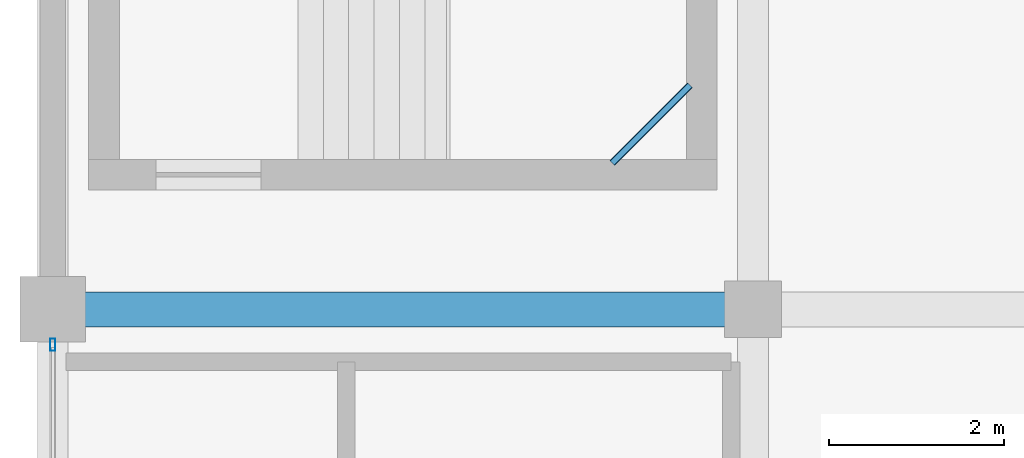
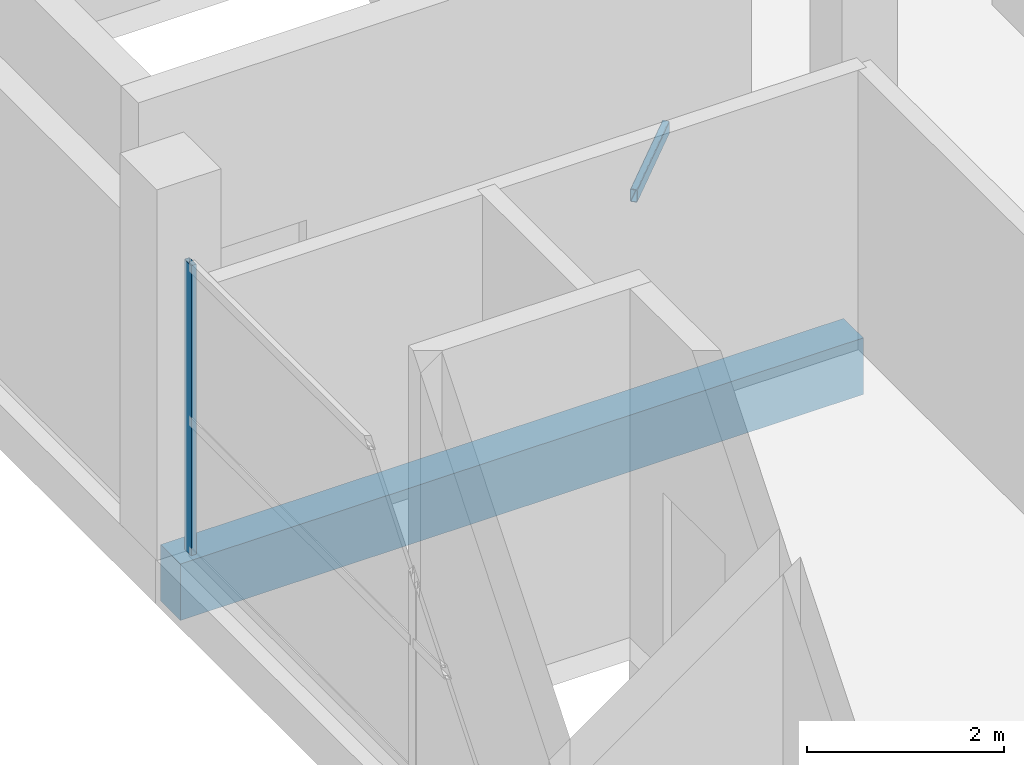
# One storey, part 27 of 69: 2 beams, 1 member, 1 element without a shape of its own.
"""IFC4 building model written with IfcOpenShell, lengths in metres."""

from ifc_helpers import new_model, si_unit, direction, frame, origin, origin_2d, place, context, subcontext, project, spatial, rectangle, hollow_rectangle, extrude, material, layer, layer_set, material_profile, profile_set, type_object, element, aggregate, save


model = new_model("IFC4")

# Units and contexts
model_context = context("Model", 3, precision=1e-05, world=origin(), true_north=direction((0.0, 1.0)))
body_context = subcontext(model_context, "Body", "Model", "MODEL_VIEW")
ifc_project = project(units=[si_unit("LENGTHUNIT", "METRE"), si_unit("AREAUNIT", "SQUARE_METRE"), si_unit("VOLUMEUNIT", "CUBIC_METRE"), si_unit("PLANEANGLEUNIT", "RADIAN"), si_unit("MASSUNIT", "GRAM", prefix="KILO")], contexts=[model_context])

# Site, building, storey
site_placement = place(None, origin())
site = spatial("IfcSite", under=ifc_project, at=site_placement, CompositionType="ELEMENT")
building_placement = place(site_placement, origin())
building = spatial("IfcBuilding", under=site, at=building_placement, Name="Sillaruma Civic Art Gallery", CompositionType="ELEMENT")
storey_placement = place(building_placement, frame((0.0, 0.0, 42.330078125)))
storey = spatial("IfcBuildingStorey", under=building, at=storey_placement, Name="L08", CompositionType="ELEMENT", Elevation=42.330078125)

# Beams
ifc_material_1 = material(Name="Concrete H35 (35 MPa)", Category="concrete")
ifc_material_profile_1 = material_profile(ifc_material_1, rectangle(XDim=0.39990234375, YDim=0.699951171875, at=origin_2d()), Name="RCB400x700")
ifc_profile_set_1 = profile_set([ifc_material_profile_1], Name="Concrete H35 (35 MPa)")
beam_type_1 = type_object("IfcBeamType", Name="BM-BEAM-RCB400x700", PredefinedType="BEAM", material=ifc_profile_set_1)
beam_1_placement = place(storey_placement, frame((62.0, 79.199951171875, -0.630126953125), z_axis=(1.0, 0.0, 0.0), x_axis=(0.0, 1.0, 0.0)))
element("IfcBeam", 1, at=beam_1_placement, inside=storey, type_object=beam_type_1, Name="Beam BM-04 (L07:9:F-G)", PredefinedType="BEAM", context=body_context, shape_type="SweptSolid", body=[
    extrude(rectangle(XDim=0.39990234375, YDim=0.699951171875, at=origin_2d()), origin(), (0.0, 0.0, 1.0), 8.0),
])
ifc_material_2 = material(Name="Structural Steel ASTM A500 Gr.C", Category="steel")
ifc_material_profile_2 = material_profile(ifc_material_2, hollow_rectangle(XDim=0.080078125, YDim=0.159912109375, WallThickness=0.008056640625, InnerFilletRadius=0.008056640625, OuterFilletRadius=0.01611328125, at=origin_2d()), Name="HSS160x80x8")
ifc_profile_set_2 = profile_set([ifc_material_profile_2], Name="Structural Steel ASTM A500 Gr.C")
beam_type_2 = type_object("IfcBeamType", Name="BM-LND-HSS160", PredefinedType="BEAM", material=ifc_profile_set_2)
beam_2_placement = place(storey_placement, frame((68.389892578125, 80.8701171875, 0.909912109375), z_axis=(0.707203758046, 0.707009791025, 0.0), x_axis=(-0.707009791025, 0.707203758046, 0.0)))
element("IfcBeam", 2, at=beam_2_placement, inside=storey, type_object=beam_type_2, Name="Stair Corner Landing Trimmer Beam (ST-02-L08-1)", PredefinedType="BEAM", context=body_context, shape_type="SweptSolid", body=[
    extrude(hollow_rectangle(XDim=0.080078125, YDim=0.159912109375, WallThickness=0.008056640625, InnerFilletRadius=0.008056640625, OuterFilletRadius=0.01611328125, at=origin_2d()), origin(), (0.0, 0.0, 1.0), 1.2587890625),
])

# Curtain wall, member
ifc_material_3 = material(Name="Thermally Broken Extruded Aluminium 6063-T6", Category="aluminium")
ifc_layer = layer(ifc_material_3, 0.139892578125, Name="Thermally Broken Extruded Aluminium 6063-T6")
ifc_layer_set = layer_set([ifc_layer], Name="Thermally Broken Extruded Aluminium 6063-T6")
curtain_wall_type = type_object("IfcCurtainWallType", Name="CW-UNI-40", PredefinedType="NOTDEFINED", material=ifc_layer_set)
curtain_wall_placement = place(storey_placement, origin())
curtain_wall = element("IfcCurtainWall", 3, at=curtain_wall_placement, inside=storey, type_object=curtain_wall_type, Name="Unitised Curtain Wall CW-40 (CW-L08-WBW-6)", PredefinedType="NOTDEFINED")
ifc_material_profile_3 = material_profile(ifc_material_3, hollow_rectangle(XDim=0.06005859375, YDim=0.139892578125, WallThickness=0.00341796875, at=origin_2d()), Name="CWM60x140")
ifc_profile_set_3 = profile_set([ifc_material_profile_3], Name="Thermally Broken Extruded Aluminium 6063-T6")
member_type = type_object("IfcMemberType", Name="MEM-MUL-CWM60x140", PredefinedType="MULLION", material=ifc_profile_set_3)
member_placement = place(storey_placement, frame((62.0, 78.794921875, 0.0), z_axis=(0.0, 0.0, 1.0), x_axis=(-1.0, 0.0, 0.0)))
member = element("IfcMember", 4, at=member_placement, type_object=member_type, Name="CW-40 mullion 3", PredefinedType="MULLION", context=body_context, shape_type="SweptSolid", body=[
    extrude(hollow_rectangle(XDim=0.06005859375, YDim=0.139892578125, WallThickness=0.00341796875, at=origin_2d()), origin(), (0.0, 0.0, 1.0), 3.58984375),
])
aggregate(curtain_wall, [member])

save(model, "model.ifc")
